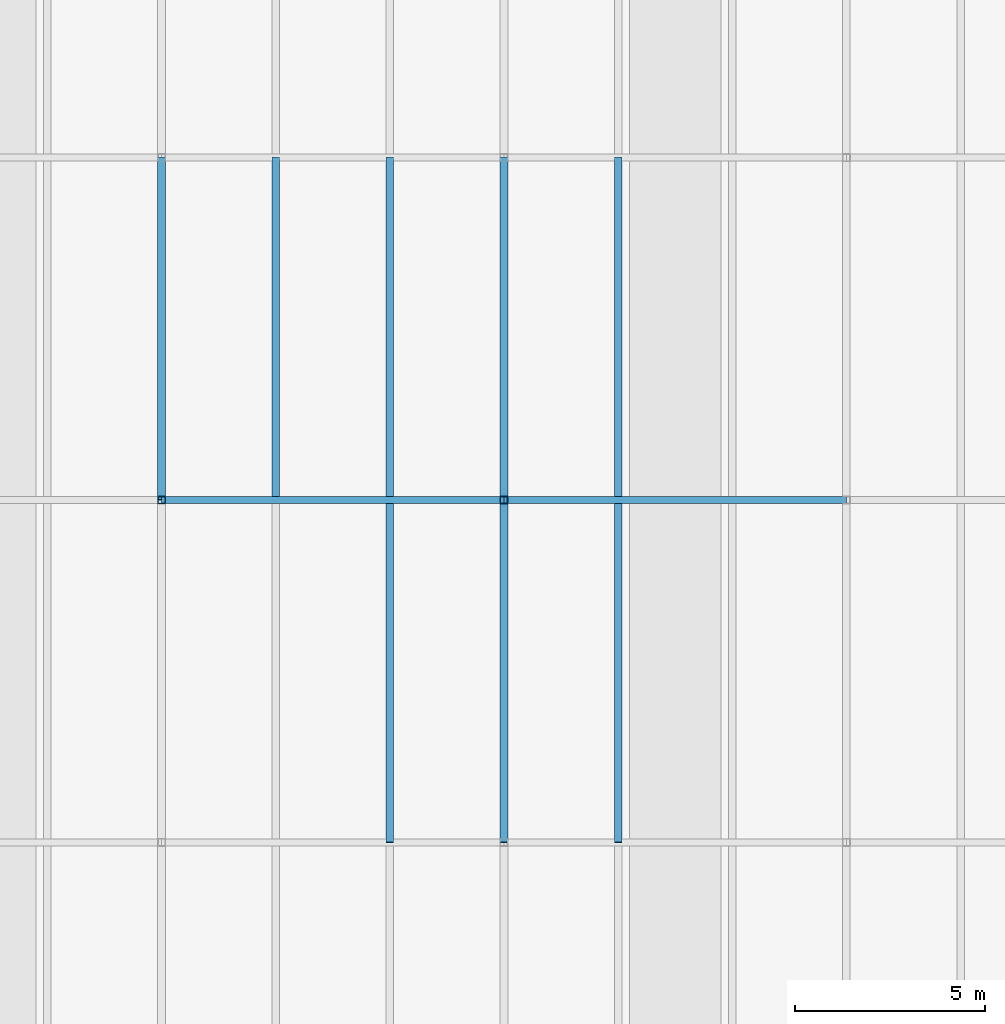
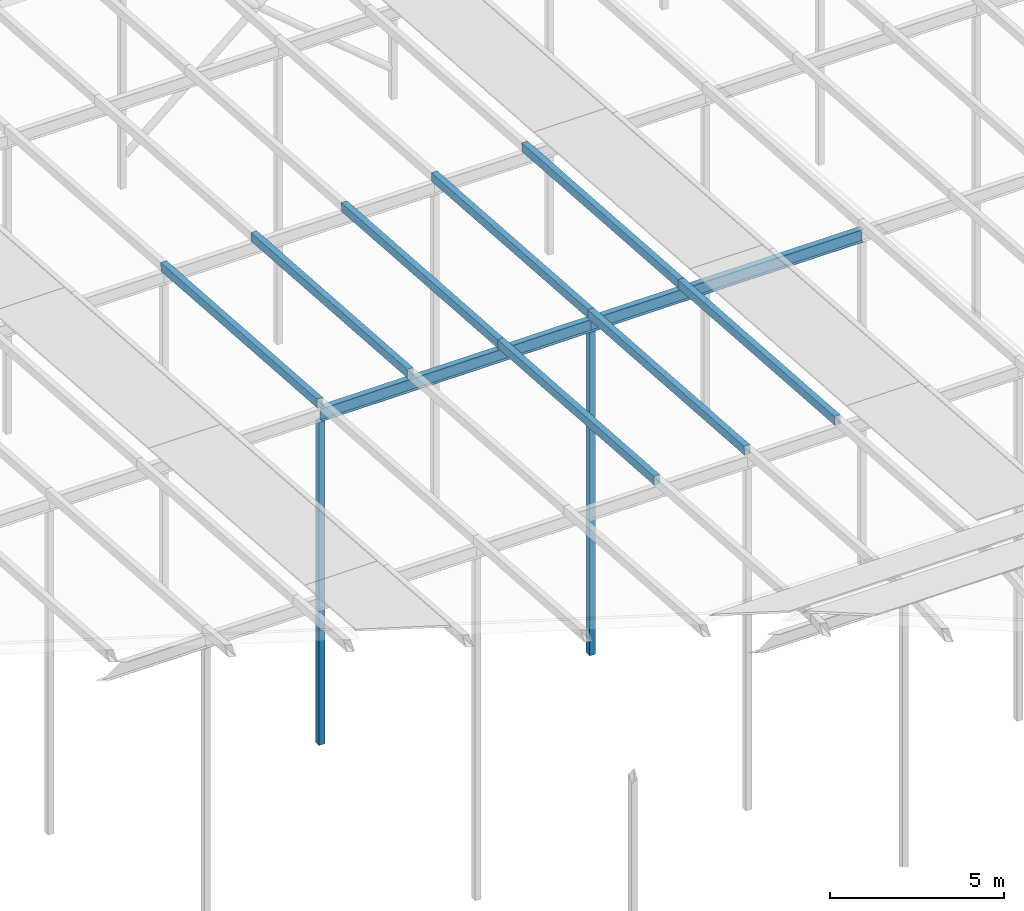
# One storey, part 32 of 84: 10 members, 2 beams.
"""IFC4 building model written with IfcOpenShell, lengths in metres."""

from ifc_helpers import new_model, si_unit, direction, frame, origin, origin_2d, place, context, subcontext, project, spatial, hollow_rectangle, i_section, extrude, material, material_profile, profile_set, type_object, element, save


model = new_model("IFC4")

# Units and contexts
model_context = context("Model", 3, precision=1e-05, world=origin(), true_north=direction((0.0, 1.0)))
body_context = subcontext(model_context, "Body", "Model", "MODEL_VIEW")
ifc_project = project(units=[si_unit("LENGTHUNIT", "METRE"), si_unit("AREAUNIT", "SQUARE_METRE"), si_unit("VOLUMEUNIT", "CUBIC_METRE"), si_unit("PLANEANGLEUNIT", "RADIAN"), si_unit("MASSUNIT", "GRAM", prefix="KILO")], contexts=[model_context])

# Site, building, storey
site_placement = place(None, origin())
site = spatial("IfcSite", under=ifc_project, at=site_placement, CompositionType="ELEMENT")
building_placement = place(site_placement, origin())
building = spatial("IfcBuilding", under=site, at=building_placement, Name="Silverbay Arena", CompositionType="ELEMENT")
storey_placement = place(building_placement, frame((0.0, 0.0, 47.10009765625)))
storey = spatial("IfcBuildingStorey", under=building, at=storey_placement, Name="ROOF", CompositionType="ELEMENT", Elevation=47.10009765625)

# Members
ifc_material_1 = material(Name="Steel S355", Category="steel")
ifc_material_profile_1 = material_profile(ifc_material_1, hollow_rectangle(XDim=0.199951171875, YDim=0.300048828125, WallThickness=0.00634765625, at=origin_2d()), Name="RHS 300x200x6.3")
ifc_profile_set_1 = profile_set([ifc_material_profile_1], Name="Steel S355")
member_type_1 = type_object("IfcMemberType", Name="Purlin RHS 300x200x6.3", PredefinedType="PURLIN", material=ifc_profile_set_1)
for number, where, z_axis, x_axis, name in (
    (1, (117.0, 99.0, 11.349609375), (0.0, 0.997400967367, -0.07205074805), (-1.0, 0.0, 0.0), "ROOF PURLIN crown line 13 bay 09"),
    (2, (120.0, 99.0, 11.349609375), (0.0, 0.997400967367, -0.07205074805), (-1.0, 0.0, 0.0), "ROOF PURLIN crown line 14 bay 09"),
    (3, (123.0, 90.0, 11.99951171875), (0.0, 0.997402911363, -0.072023832195), (-1.0, 0.0, 0.0), "ROOF PURLIN crown line 15 bay 08"),
    (4, (123.0, 99.0, 11.349609375), (0.0, 0.997400967367, -0.07205074805), (-1.0, 0.0, 0.0), "ROOF PURLIN crown line 15 bay 09"),
    (5, (126.0, 90.0, 11.99951171875), (0.0, 0.997402911363, -0.072023832195), (-1.0, 0.0, 0.0), "ROOF PURLIN crown line 16 bay 08"),
    (6, (126.0, 99.0, 11.349609375), (0.0, 0.997400967367, -0.07205074805), (-1.0, 0.0, 0.0), "ROOF PURLIN crown line 16 bay 09"),
    (7, (129.0, 90.0, 11.99951171875), (0.0, 0.997402911363, -0.072023832195), (-1.0, 0.0, 0.0), "ROOF PURLIN crown line 17 bay 08"),
    (8, (129.0, 99.0, 11.349609375), (0.0, 0.997400967367, -0.07205074805), (-1.0, 0.0, 0.0), "ROOF PURLIN crown line 17 bay 09"),
):
    element("IfcMember", number, at=place(storey_placement, frame(where, z_axis=z_axis, x_axis=x_axis)), inside=storey, type_object=member_type_1, Name=name, PredefinedType="PURLIN", context=body_context, shape_type="SweptSolid", body=[
        extrude(hollow_rectangle(XDim=0.199951171875, YDim=0.300048828125, WallThickness=0.00634765625, at=origin_2d()), origin(), (0.0, 0.0, 1.0), 9.0234375),
    ])

# Beams
ifc_material_2 = material(Name="Steel S355", Category="steel")
ifc_material_profile_2 = material_profile(ifc_material_2, i_section(OverallWidth=0.18994140625, OverallDepth=0.453369140625, WebThickness=0.008544921875, FlangeThickness=0.0126953125, at=origin_2d()), Name="UB 457x191x67")
ifc_profile_set_2 = profile_set([ifc_material_profile_2], Name="Steel S355")
beam_type = type_object("IfcBeamType", Name="Ring beam UB 457x191x67", PredefinedType="BEAM", material=ifc_profile_set_2)
for number, where, z_axis, x_axis, name in (
    (9, (117.0, 99.0, 10.972412109375), (1.0, 0.0, 0.0), (0.0, 1.0, 0.0), "RING BEAM crown row 09 14-15"),
    (10, (126.0, 99.0, 10.972412109375), (1.0, 0.0, 0.0), (0.0, 1.0, 0.0), "RING BEAM crown row 09 15-16"),
):
    element("IfcBeam", number, at=place(storey_placement, frame(where, z_axis=z_axis, x_axis=x_axis)), inside=storey, type_object=beam_type, Name=name, PredefinedType="BEAM", context=body_context, shape_type="SweptSolid", body=[
        extrude(i_section(OverallWidth=0.18994140625, OverallDepth=0.453369140625, WebThickness=0.008544921875, FlangeThickness=0.0126953125, at=origin_2d()), origin(), (0.0, 0.0, 1.0), 9.0),
    ])

# Members
ifc_material_3 = material(Name="Steel S355", Category="steel")
ifc_material_profile_3 = material_profile(ifc_material_3, hollow_rectangle(XDim=0.199951171875, YDim=0.199951171875, WallThickness=0.008056640625, at=origin_2d()), Name="SHS 200x200x8")
ifc_profile_set_3 = profile_set([ifc_material_profile_3], Name="Steel S355")
member_type_2 = type_object("IfcMemberType", Name="Roof post SHS 200x200x8", PredefinedType="POST", material=ifc_profile_set_3)
for number, where, z_axis, x_axis, name in (
    (11, (117.0, 99.0, -0.60009765625), (0.0, 0.0, 1.0), (1.0, 0.0, 0.0), "ROOF CROWN POST 14 row 09"),
    (12, (126.0, 99.0, -0.60009765625), (0.0, 0.0, 1.0), (1.0, 0.0, 0.0), "ROOF CROWN POST 15 row 09"),
):
    element("IfcMember", number, at=place(storey_placement, frame(where, z_axis=z_axis, x_axis=x_axis)), inside=storey, type_object=member_type_2, Name=name, PredefinedType="POST", context=body_context, shape_type="SweptSolid", body=[
        extrude(hollow_rectangle(XDim=0.199951171875, YDim=0.199951171875, WallThickness=0.008056640625, at=origin_2d()), origin(), (0.0, 0.0, 1.0), 11.345703125),
    ])

save(model, "model.ifc")
